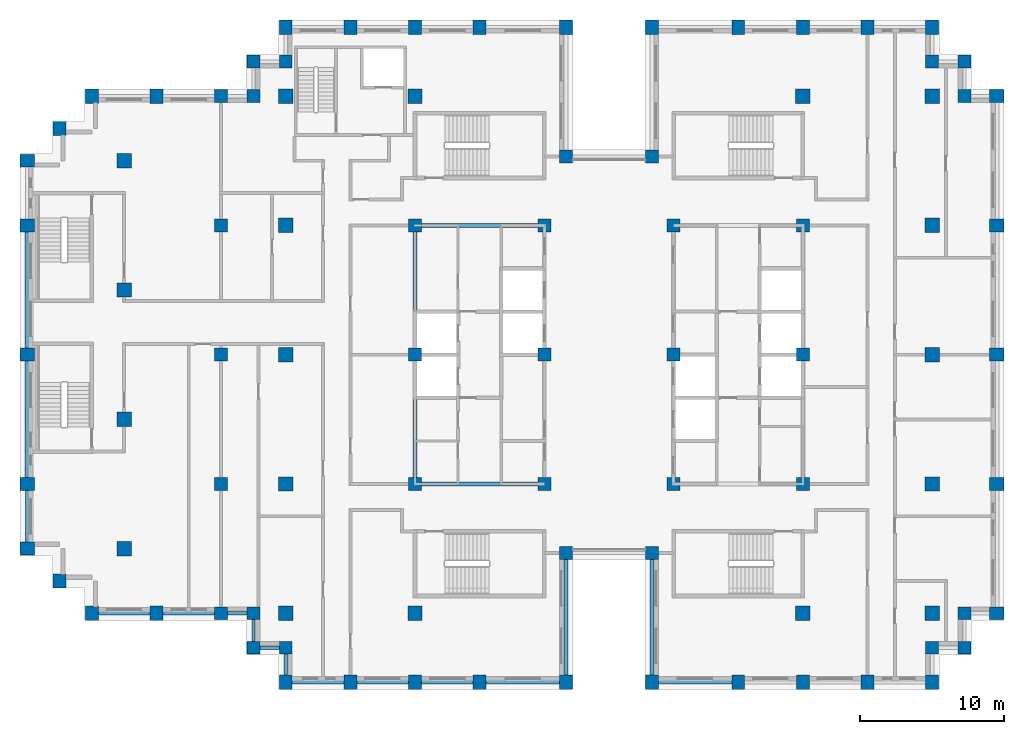
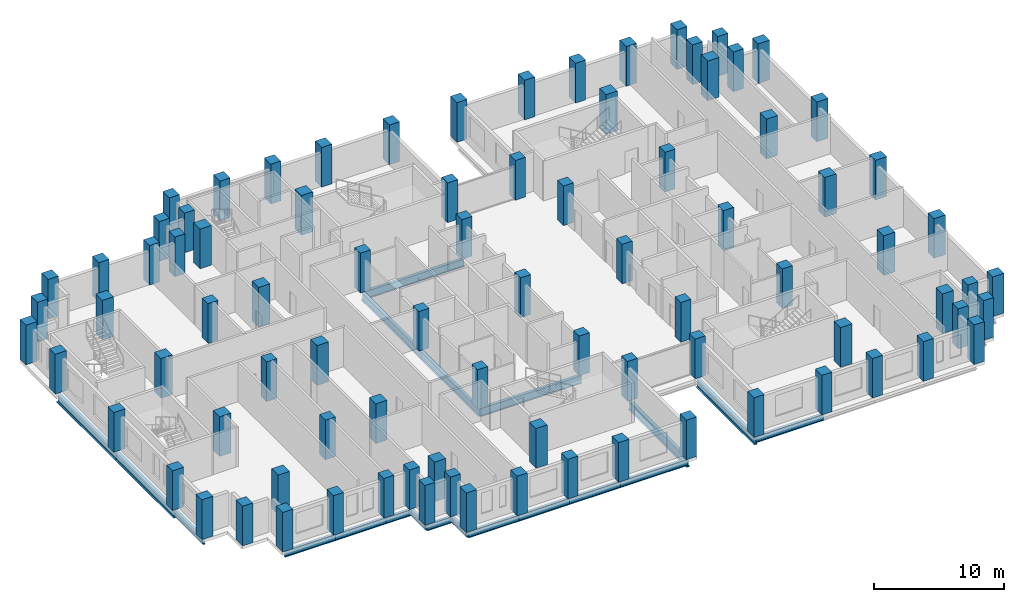
# One storey, part 1 of 15: 87 columns, 20 beams.
"""IFC4 building model written with IfcOpenShell, lengths in metres."""

from ifc_helpers import new_model, si_unit, direction, frame, origin, origin_2d, place, context, subcontext, project, spatial, rectangle, i_section, extrude, material, material_profile, profile_set, type_object, element, save


model = new_model("IFC4")

# Units and contexts
model_context = context("Model", 3, precision=1e-05, world=origin(), true_north=direction((0.0, 1.0)))
body_context = subcontext(model_context, "Body", "Model", "MODEL_VIEW")
ifc_project = project(units=[si_unit("LENGTHUNIT", "METRE"), si_unit("AREAUNIT", "SQUARE_METRE"), si_unit("VOLUMEUNIT", "CUBIC_METRE"), si_unit("PLANEANGLEUNIT", "RADIAN"), si_unit("MASSUNIT", "GRAM", prefix="KILO")], contexts=[model_context])

# Site, building, storey
site_placement = place(None, origin())
site = spatial("IfcSite", under=ifc_project, at=site_placement, CompositionType="ELEMENT")
building_placement = place(site_placement, origin())
building = spatial("IfcBuilding", under=site, at=building_placement, Name="Corbelhall Arena Tower", CompositionType="ELEMENT")
storey_placement = place(building_placement, frame((0.0, 0.0, 204.0)))
storey = spatial("IfcBuildingStorey", under=building, at=storey_placement, Name="L42", CompositionType="ELEMENT", Elevation=204.0)

# Columns
ifc_material_1 = material(Name="Concrete C80/95", Category="concrete")
ifc_material_profile_1 = material_profile(ifc_material_1, rectangle(XDim=1.0, YDim=1.0, at=origin_2d()))
ifc_profile_set_1 = profile_set([ifc_material_profile_1], Name="Concrete C80/95")
column_type_1 = type_object("IfcColumnType", Name="ST-COL-RC 1000x1000", PredefinedType="COLUMN", material=ifc_profile_set_1)
for number, where, z_axis, x_axis, name in (
    (1, (-33.75, 4.5, 0.0), (0.0, 0.0, 1.0), (1.0, 0.0, 0.0), "Column FIC+0450"),
    (2, (-33.75, 13.5, 0.0), (0.0, 0.0, 1.0), (1.0, 0.0, 0.0), "Column FIC+1350"),
    (3, (-33.75, -4.5, 0.0), (0.0, 0.0, 1.0), (1.0, 0.0, 0.0), "Column FIC-0450"),
    (4, (-33.75, -13.5, 0.0), (0.0, 0.0, 1.0), (1.0, 0.0, 0.0), "Column FIC-1350"),
    (5, (13.5, 18.0, 0.0), (0.0, 0.0, 1.0), (1.0, 0.0, 0.0), "Column IE13+1800"),
    (6, (13.5, -18.0, 0.0), (0.0, 0.0, 1.0), (1.0, 0.0, 0.0), "Column IE13-1800"),
    (7, (22.5, 0.0, 0.0), (0.0, 0.0, 1.0), (1.0, 0.0, 0.0), "Column IE22+0000"),
    (8, (22.5, 9.0, 0.0), (0.0, 0.0, 1.0), (1.0, 0.0, 0.0), "Column IE22+0900"),
    (9, (22.5, 18.0, 0.0), (0.0, 0.0, 1.0), (1.0, 0.0, 0.0), "Column IE22+1800"),
    (10, (22.5, -9.0, 0.0), (0.0, 0.0, 1.0), (1.0, 0.0, 0.0), "Column IE22-0900"),
    (11, (22.5, -18.0, 0.0), (0.0, 0.0, 1.0), (1.0, 0.0, 0.0), "Column IE22-1800"),
    (12, (-13.5, 18.0, 0.0), (0.0, 0.0, 1.0), (1.0, 0.0, 0.0), "Column IW13+1800"),
    (13, (-13.5, -18.0, 0.0), (0.0, 0.0, 1.0), (1.0, 0.0, 0.0), "Column IW13-1800"),
    (14, (-22.5, 0.0, 0.0), (0.0, 0.0, 1.0), (1.0, 0.0, 0.0), "Column IW22+0000"),
    (15, (-22.5, 9.0, 0.0), (0.0, 0.0, 1.0), (1.0, 0.0, 0.0), "Column IW22+0900"),
    (16, (-22.5, 18.0, 0.0), (0.0, 0.0, 1.0), (1.0, 0.0, 0.0), "Column IW22+1800"),
    (17, (-22.5, -9.0, 0.0), (0.0, 0.0, 1.0), (1.0, 0.0, 0.0), "Column IW22-0900"),
    (18, (-22.5, -18.0, 0.0), (0.0, 0.0, 1.0), (1.0, 0.0, 0.0), "Column IW22-1800"),
):
    element("IfcColumn", number, at=place(storey_placement, frame(where, z_axis=z_axis, x_axis=x_axis)), inside=storey, type_object=column_type_1, Name=name, PredefinedType="COLUMN", context=body_context, shape_type="SweptSolid", body=[
        extrude(rectangle(XDim=1.0, YDim=1.0, at=origin_2d()), origin(), (0.0, 0.0, 1.0), 3.719970703125),
    ])
ifc_material_profile_2 = material_profile(ifc_material_1, rectangle(XDim=0.89990234375, YDim=1.0, at=origin_2d()))
ifc_profile_set_2 = profile_set([ifc_material_profile_2], Name="Concrete C80/95")
column_type_2 = type_object("IfcColumnType", Name="ST-COL-RC 900x1000", PredefinedType="COLUMN", material=ifc_profile_set_2)
for number, where, z_axis, x_axis, name in (
    (19, (-40.5, 0.0, 0.0), (0.0, 0.0, 1.0), (0.0, 1.0, 0.0), "Column FC+0000"),
    (20, (-40.5, 9.0, 0.0), (0.0, 0.0, 1.0), (0.0, 1.0, 0.0), "Column FC+0900"),
    (21, (-40.5, 13.5, 0.0), (0.0, 0.0, 1.0), (0.0, 1.0, 0.0), "Column FC+1350"),
    (22, (-40.5, -9.0, 0.0), (0.0, 0.0, 1.0), (0.0, 1.0, 0.0), "Column FC-0900"),
    (23, (-40.5, -13.5, 0.0), (0.0, 0.0, 1.0), (0.0, 1.0, 0.0), "Column FC-1350"),
    (24, (-38.25, 15.75, 0.0), (0.0, 0.0, 1.0), (1.0, 0.0, 0.0), "Column FCCN"),
    (25, (-38.25, -15.75, 0.0), (0.0, 0.0, 1.0), (1.0, 0.0, 0.0), "Column FCCS"),
    (26, (-31.5, 18.0, 0.0), (0.0, 0.0, 1.0), (1.0, 0.0, 0.0), "Column FCN3150"),
    (27, (-36.0, 18.0, 0.0), (0.0, 0.0, 1.0), (1.0, 0.0, 0.0), "Column FCN3600"),
    (28, (-31.5, -18.0, 0.0), (0.0, 0.0, 1.0), (1.0, 0.0, 0.0), "Column FCS3150"),
    (29, (-36.0, -18.0, 0.0), (0.0, 0.0, 1.0), (1.0, 0.0, 0.0), "Column FCS3600"),
    (30, (27.0, 0.0, 0.0), (0.0, 0.0, 1.0), (0.0, 1.0, 0.0), "Column PE+0000"),
    (31, (27.0, 9.0, 0.0), (0.0, 0.0, 1.0), (0.0, 1.0, 0.0), "Column PE+0900"),
    (32, (27.0, 18.0, 0.0), (0.0, 0.0, 1.0), (0.0, 1.0, 0.0), "Column PE+1800"),
    (33, (27.0, -9.0, 0.0), (0.0, 0.0, 1.0), (0.0, 1.0, 0.0), "Column PE-0900"),
    (34, (27.0, -18.0, 0.0), (0.0, 0.0, 1.0), (0.0, 1.0, 0.0), "Column PE-1800"),
    (35, (3.0, 22.800048828125, 0.0), (0.0, 0.0, 1.0), (1.0, 0.0, 0.0), "Column PNE0300"),
    (36, (9.0, 22.800048828125, 0.0), (0.0, 0.0, 1.0), (1.0, 0.0, 0.0), "Column PNE0900"),
    (37, (13.5, 22.800048828125, 0.0), (0.0, 0.0, 1.0), (1.0, 0.0, 0.0), "Column PNE1350"),
    (38, (18.0, 22.800048828125, 0.0), (0.0, 0.0, 1.0), (1.0, 0.0, 0.0), "Column PNE1800"),
    (39, (22.5, 22.800048828125, 0.0), (0.0, 0.0, 1.0), (1.0, 0.0, 0.0), "Column PNE2250"),
    (40, (-3.0, 22.800048828125, 0.0), (0.0, 0.0, 1.0), (1.0, 0.0, 0.0), "Column PNW0300"),
    (41, (-9.0, 22.800048828125, 0.0), (0.0, 0.0, 1.0), (1.0, 0.0, 0.0), "Column PNW0900"),
    (42, (-13.5, 22.800048828125, 0.0), (0.0, 0.0, 1.0), (1.0, 0.0, 0.0), "Column PNW1350"),
    (43, (-18.0, 22.800048828125, 0.0), (0.0, 0.0, 1.0), (1.0, 0.0, 0.0), "Column PNW1800"),
    (44, (-22.5, 22.800048828125, 0.0), (0.0, 0.0, 1.0), (1.0, 0.0, 0.0), "Column PNW2250"),
    (45, (3.0, -22.800048828125, 0.0), (0.0, 0.0, 1.0), (1.0, 0.0, 0.0), "Column PSE0300"),
    (46, (9.0, -22.800048828125, 0.0), (0.0, 0.0, 1.0), (1.0, 0.0, 0.0), "Column PSE0900"),
    (47, (13.5, -22.800048828125, 0.0), (0.0, 0.0, 1.0), (1.0, 0.0, 0.0), "Column PSE1350"),
    (48, (18.0, -22.800048828125, 0.0), (0.0, 0.0, 1.0), (1.0, 0.0, 0.0), "Column PSE1800"),
    (49, (22.5, -22.800048828125, 0.0), (0.0, 0.0, 1.0), (1.0, 0.0, 0.0), "Column PSE2250"),
    (50, (-3.0, -22.800048828125, 0.0), (0.0, 0.0, 1.0), (1.0, 0.0, 0.0), "Column PSW0300"),
    (51, (-9.0, -22.800048828125, 0.0), (0.0, 0.0, 1.0), (1.0, 0.0, 0.0), "Column PSW0900"),
    (52, (-13.5, -22.800048828125, 0.0), (0.0, 0.0, 1.0), (1.0, 0.0, 0.0), "Column PSW1350"),
    (53, (-18.0, -22.800048828125, 0.0), (0.0, 0.0, 1.0), (1.0, 0.0, 0.0), "Column PSW1800"),
    (54, (-22.5, -22.800048828125, 0.0), (0.0, 0.0, 1.0), (1.0, 0.0, 0.0), "Column PSW2250"),
):
    element("IfcColumn", number, at=place(storey_placement, frame(where, z_axis=z_axis, x_axis=x_axis)), inside=storey, type_object=column_type_2, Name=name, PredefinedType="COLUMN", context=body_context, shape_type="SweptSolid", body=[
        extrude(rectangle(XDim=0.89990234375, YDim=1.0, at=origin_2d()), origin(), (0.0, 0.0, 1.0), 3.719970703125),
    ])
ifc_material_profile_3 = material_profile(ifc_material_1, rectangle(XDim=0.89990234375, YDim=0.89990234375, at=origin_2d()))
ifc_profile_set_3 = profile_set([ifc_material_profile_3], Name="Concrete C80/95")
column_type_3 = type_object("IfcColumnType", Name="ST-COL-RC 900x900", PredefinedType="COLUMN", material=ifc_profile_set_3)
for number, where, z_axis, x_axis, name in (
    (55, (4.5, 0.0, 0.0), (0.0, 0.0, 1.0), (1.0, 0.0, 0.0), "Column KE+0450+0000"),
    (56, (4.5, 9.0, 0.0), (0.0, 0.0, 1.0), (1.0, 0.0, 0.0), "Column KE+0450+0900"),
    (57, (4.5, -9.0, 0.0), (0.0, 0.0, 1.0), (1.0, 0.0, 0.0), "Column KE+0450-0900"),
    (58, (13.5, 0.0, 0.0), (0.0, 0.0, 1.0), (1.0, 0.0, 0.0), "Column KE+1350+0000"),
    (59, (13.5, 9.0, 0.0), (0.0, 0.0, 1.0), (1.0, 0.0, 0.0), "Column KE+1350+0900"),
    (60, (13.5, -9.0, 0.0), (0.0, 0.0, 1.0), (1.0, 0.0, 0.0), "Column KE+1350-0900"),
    (61, (-4.5, 0.0, 0.0), (0.0, 0.0, 1.0), (1.0, 0.0, 0.0), "Column KW-0450+0000"),
    (62, (-4.5, 9.0, 0.0), (0.0, 0.0, 1.0), (1.0, 0.0, 0.0), "Column KW-0450+0900"),
    (63, (-4.5, -9.0, 0.0), (0.0, 0.0, 1.0), (1.0, 0.0, 0.0), "Column KW-0450-0900"),
    (64, (-13.5, 0.0, 0.0), (0.0, 0.0, 1.0), (1.0, 0.0, 0.0), "Column KW-1350+0000"),
    (65, (-13.5, 9.0, 0.0), (0.0, 0.0, 1.0), (1.0, 0.0, 0.0), "Column KW-1350+0900"),
    (66, (-13.5, -9.0, 0.0), (0.0, 0.0, 1.0), (1.0, 0.0, 0.0), "Column KW-1350-0900"),
    (67, (-27.0, 0.0, 0.0), (0.0, 0.0, 1.0), (1.0, 0.0, 0.0), "Column PW+0000"),
    (68, (-27.0, 9.0, 0.0), (0.0, 0.0, 1.0), (1.0, 0.0, 0.0), "Column PW+0900"),
    (69, (-27.0, 18.0, 0.0), (0.0, 0.0, 1.0), (1.0, 0.0, 0.0), "Column PW+1800"),
    (70, (-27.0, -9.0, 0.0), (0.0, 0.0, 1.0), (1.0, 0.0, 0.0), "Column PW-0900"),
    (71, (-27.0, -18.0, 0.0), (0.0, 0.0, 1.0), (1.0, 0.0, 0.0), "Column PW-1800"),
    (72, (3.0, 13.800048828125, 0.0), (0.0, 0.0, 1.0), (1.0, 0.0, 0.0), "Column SLNE2"),
    (73, (-3.0, 13.800048828125, 0.0), (0.0, 0.0, 1.0), (1.0, 0.0, 0.0), "Column SLNW2"),
    (74, (3.0, -13.800048828125, 0.0), (0.0, 0.0, 1.0), (1.0, 0.0, 0.0), "Column SLSE2"),
    (75, (-3.0, -13.800048828125, 0.0), (0.0, 0.0, 1.0), (1.0, 0.0, 0.0), "Column SLSW2"),
    (76, (22.5, 20.39990234375, 0.0), (0.0, 0.0, 1.0), (1.0, 0.0, 0.0), "Column XNE1"),
    (77, (24.75, 20.39990234375, 0.0), (0.0, 0.0, 1.0), (1.0, 0.0, 0.0), "Column XNE2"),
    (78, (24.75, 18.0, 0.0), (0.0, 0.0, 1.0), (1.0, 0.0, 0.0), "Column XNE3"),
    (79, (-22.5, 20.39990234375, 0.0), (0.0, 0.0, 1.0), (1.0, 0.0, 0.0), "Column XNW1"),
    (80, (-24.75, 20.39990234375, 0.0), (0.0, 0.0, 1.0), (1.0, 0.0, 0.0), "Column XNW2"),
    (81, (-24.75, 18.0, 0.0), (0.0, 0.0, 1.0), (1.0, 0.0, 0.0), "Column XNW3"),
    (82, (22.5, -20.39990234375, 0.0), (0.0, 0.0, 1.0), (1.0, 0.0, 0.0), "Column XSE1"),
    (83, (24.75, -20.39990234375, 0.0), (0.0, 0.0, 1.0), (1.0, 0.0, 0.0), "Column XSE2"),
    (84, (24.75, -18.0, 0.0), (0.0, 0.0, 1.0), (1.0, 0.0, 0.0), "Column XSE3"),
    (85, (-22.5, -20.39990234375, 0.0), (0.0, 0.0, 1.0), (1.0, 0.0, 0.0), "Column XSW1"),
    (86, (-24.75, -20.39990234375, 0.0), (0.0, 0.0, 1.0), (1.0, 0.0, 0.0), "Column XSW2"),
    (87, (-24.75, -18.0, 0.0), (0.0, 0.0, 1.0), (1.0, 0.0, 0.0), "Column XSW3"),
):
    element("IfcColumn", number, at=place(storey_placement, frame(where, z_axis=z_axis, x_axis=x_axis)), inside=storey, type_object=column_type_3, Name=name, PredefinedType="COLUMN", context=body_context, shape_type="SweptSolid", body=[
        extrude(rectangle(XDim=0.89990234375, YDim=0.89990234375, at=origin_2d()), origin(), (0.0, 0.0, 1.0), 3.719970703125),
    ])

# Beams
ifc_material_2 = material(Name="Steel ASTM A992 Gr50", Category="steel")
ifc_material_profile_4 = material_profile(ifc_material_2, i_section(OverallWidth=0.2666015625, OverallDepth=0.761962890625, WebThickness=0.014404296875, FlangeThickness=0.021484375, at=origin_2d()))
ifc_profile_set_4 = profile_set([ifc_material_profile_4], Name="Steel ASTM A992 Gr50")
beam_type_1 = type_object("IfcBeamType", Name="ST-BEAM-W30x116", PredefinedType="BEAM", material=ifc_profile_set_4)
for number, where, z_axis, x_axis, name in (
    (88, (-13.5, -9.0, -0.660888671875), (0.0, 1.0, 0.0), (-1.0, 0.0, 0.0), "Beam CEW 1"),
    (89, (-13.5, 0.0, -0.660888671875), (0.0, 1.0, 0.0), (-1.0, 0.0, 0.0), "Beam CEW 2"),
    (90, (-13.5, -9.0, -0.660888671875), (1.0, 0.0, 0.0), (0.0, 1.0, 0.0), "Beam CEW 5"),
    (91, (-13.5, 9.0, -0.660888671875), (1.0, 0.0, 0.0), (0.0, 1.0, 0.0), "Beam CEW 6"),
):
    element("IfcBeam", number, at=place(storey_placement, frame(where, z_axis=z_axis, x_axis=x_axis)), inside=storey, type_object=beam_type_1, Name=name, PredefinedType="BEAM", context=body_context, shape_type="SweptSolid", body=[
        extrude(i_section(OverallWidth=0.2666015625, OverallDepth=0.761962890625, WebThickness=0.014404296875, FlangeThickness=0.021484375, at=origin_2d()), origin(), (0.0, 0.0, 1.0), 9.0),
    ])
ifc_material_profile_5 = material_profile(ifc_material_2, i_section(OverallWidth=0.228271484375, OverallDepth=0.607177734375, WebThickness=0.01123046875, FlangeThickness=0.017333984375, at=origin_2d()))
ifc_profile_set_5 = profile_set([ifc_material_profile_5], Name="Steel ASTM A992 Gr50")
beam_type_2 = type_object("IfcBeamType", Name="ST-SPANDREL-W24x76", PredefinedType="SPANDREL", material=ifc_profile_set_5)
for number, where, z_axis, x_axis, name in (
    (92, (-40.5, -13.5, -0.58349609375), (0.0, 1.0, 0.0), (-1.0, 0.0, 0.0), "Beam SP 4"),
    (93, (-31.5, -18.0, -0.58349609375), (-1.0, 0.0, 0.0), (0.0, -1.0, 0.0), "Beam SP 7"),
):
    element("IfcBeam", number, at=place(storey_placement, frame(where, z_axis=z_axis, x_axis=x_axis)), inside=storey, type_object=beam_type_2, Name=name, PredefinedType="SPANDREL", context=body_context, shape_type="SweptSolid", body=[
        extrude(i_section(OverallWidth=0.228271484375, OverallDepth=0.607177734375, WebThickness=0.01123046875, FlangeThickness=0.017333984375, at=origin_2d()), origin(), (0.0, 0.0, 1.0), 4.5),
    ])
for number, where, z_axis, x_axis, name in (
    (94, (9.0, -22.800048828125, -0.58349609375), (-1.0, 0.0, 0.0), (0.0, -1.0, 0.0), "Beam SP 24"),
    (95, (-3.0, -22.800048828125, -0.58349609375), (-1.0, 0.0, 0.0), (0.0, -1.0, 0.0), "Beam SP 28"),
):
    element("IfcBeam", number, at=place(storey_placement, frame(where, z_axis=z_axis, x_axis=x_axis)), inside=storey, type_object=beam_type_2, Name=name, PredefinedType="SPANDREL", context=body_context, shape_type="SweptSolid", body=[
        extrude(i_section(OverallWidth=0.228271484375, OverallDepth=0.607177734375, WebThickness=0.01123046875, FlangeThickness=0.017333984375, at=origin_2d()), origin(), (0.0, 0.0, 1.0), 6.0),
    ])
for number, where, z_axis, x_axis, name in (
    (96, (-9.0, -22.800048828125, -0.58349609375), (-1.0, 0.0, 0.0), (0.0, -1.0, 0.0), "Beam SP 29"),
    (97, (-13.5, -22.800048828125, -0.58349609375), (-1.0, 0.0, 0.0), (0.0, -1.0, 0.0), "Beam SP 30"),
    (98, (-18.0, -22.800048828125, -0.58349609375), (-1.0, 0.0, 0.0), (0.0, -1.0, 0.0), "Beam SP 31"),
):
    element("IfcBeam", number, at=place(storey_placement, frame(where, z_axis=z_axis, x_axis=x_axis)), inside=storey, type_object=beam_type_2, Name=name, PredefinedType="SPANDREL", context=body_context, shape_type="SweptSolid", body=[
        extrude(i_section(OverallWidth=0.228271484375, OverallDepth=0.607177734375, WebThickness=0.01123046875, FlangeThickness=0.017333984375, at=origin_2d()), origin(), (0.0, 0.0, 1.0), 4.5),
    ])
beam_1_placement = place(storey_placement, frame((-22.5, -22.800048828125, -0.58349609375), z_axis=(0.0, 1.0, 0.0), x_axis=(-1.0, 0.0, 0.0)))
element("IfcBeam", 99, at=beam_1_placement, inside=storey, type_object=beam_type_2, Name="Beam SP 32", PredefinedType="SPANDREL", context=body_context, shape_type="SweptSolid", body=[
    extrude(i_section(OverallWidth=0.228271484375, OverallDepth=0.607177734375, WebThickness=0.01123046875, FlangeThickness=0.017333984375, at=origin_2d()), origin(), (0.0, 0.0, 1.0), 2.400146484375),
])
beam_2_placement = place(storey_placement, frame((-27.0, -18.0, -0.58349609375), z_axis=(-1.0, 0.0, 0.0), x_axis=(0.0, -1.0, 0.0)))
element("IfcBeam", 100, at=beam_2_placement, inside=storey, type_object=beam_type_2, Name="Beam SP 34", PredefinedType="SPANDREL", context=body_context, shape_type="SweptSolid", body=[
    extrude(i_section(OverallWidth=0.228271484375, OverallDepth=0.607177734375, WebThickness=0.01123046875, FlangeThickness=0.017333984375, at=origin_2d()), origin(), (0.0, 0.0, 1.0), 4.5),
])
beam_3_placement = place(storey_placement, frame((-22.5, -20.39990234375, -0.58349609375), z_axis=(-1.0, 0.0, 0.0), x_axis=(0.0, -1.0, 0.0)))
element("IfcBeam", 101, at=beam_3_placement, inside=storey, type_object=beam_type_2, Name="Beam SP 48", PredefinedType="SPANDREL", context=body_context, shape_type="SweptSolid", body=[
    extrude(i_section(OverallWidth=0.228271484375, OverallDepth=0.607177734375, WebThickness=0.01123046875, FlangeThickness=0.017333984375, at=origin_2d()), origin(), (0.0, 0.0, 1.0), 2.25),
])
beam_4_placement = place(storey_placement, frame((-24.75, -20.39990234375, -0.58349609375), z_axis=(0.0, 1.0, 0.0), x_axis=(-1.0, 0.0, 0.0)))
element("IfcBeam", 102, at=beam_4_placement, inside=storey, type_object=beam_type_2, Name="Beam SP 49", PredefinedType="SPANDREL", context=body_context, shape_type="SweptSolid", body=[
    extrude(i_section(OverallWidth=0.228271484375, OverallDepth=0.607177734375, WebThickness=0.01123046875, FlangeThickness=0.017333984375, at=origin_2d()), origin(), (0.0, 0.0, 1.0), 2.39990234375),
])
beam_5_placement = place(storey_placement, frame((-24.75, -18.0, -0.58349609375), z_axis=(-1.0, 0.0, 0.0), x_axis=(0.0, -1.0, 0.0)))
element("IfcBeam", 103, at=beam_5_placement, inside=storey, type_object=beam_type_2, Name="Beam SP 50", PredefinedType="SPANDREL", context=body_context, shape_type="SweptSolid", body=[
    extrude(i_section(OverallWidth=0.228271484375, OverallDepth=0.607177734375, WebThickness=0.01123046875, FlangeThickness=0.017333984375, at=origin_2d()), origin(), (0.0, 0.0, 1.0), 2.25),
])
ifc_material_profile_6 = material_profile(ifc_material_2, i_section(OverallWidth=0.2919921875, OverallDepth=0.845703125, WebThickness=0.015380859375, FlangeThickness=0.0244140625, at=origin_2d()))
ifc_profile_set_6 = profile_set([ifc_material_profile_6], Name="Steel ASTM A992 Gr50")
beam_type_3 = type_object("IfcBeamType", Name="ST-SPANDREL-W33x141", PredefinedType="SPANDREL", material=ifc_profile_set_6)
for number, where, z_axis, x_axis, name in (
    (104, (-40.5, 0.0, -0.702880859375), (0.0, 1.0, 0.0), (-1.0, 0.0, 0.0), "Beam SP 1"),
    (105, (-40.5, -9.0, -0.702880859375), (0.0, 1.0, 0.0), (-1.0, 0.0, 0.0), "Beam SP 3"),
    (106, (3.0, -22.800048828125, -0.702880859375), (0.0, 1.0, 0.0), (-1.0, 0.0, 0.0), "Beam SP 23"),
    (107, (-3.0, -13.800048828125, -0.702880859375), (0.0, -1.0, 0.0), (1.0, 0.0, 0.0), "Beam SP 38"),
):
    element("IfcBeam", number, at=place(storey_placement, frame(where, z_axis=z_axis, x_axis=x_axis)), inside=storey, type_object=beam_type_3, Name=name, PredefinedType="SPANDREL", context=body_context, shape_type="SweptSolid", body=[
        extrude(i_section(OverallWidth=0.2919921875, OverallDepth=0.845703125, WebThickness=0.015380859375, FlangeThickness=0.0244140625, at=origin_2d()), origin(), (0.0, 0.0, 1.0), 9.0),
    ])

save(model, "model.ifc")
